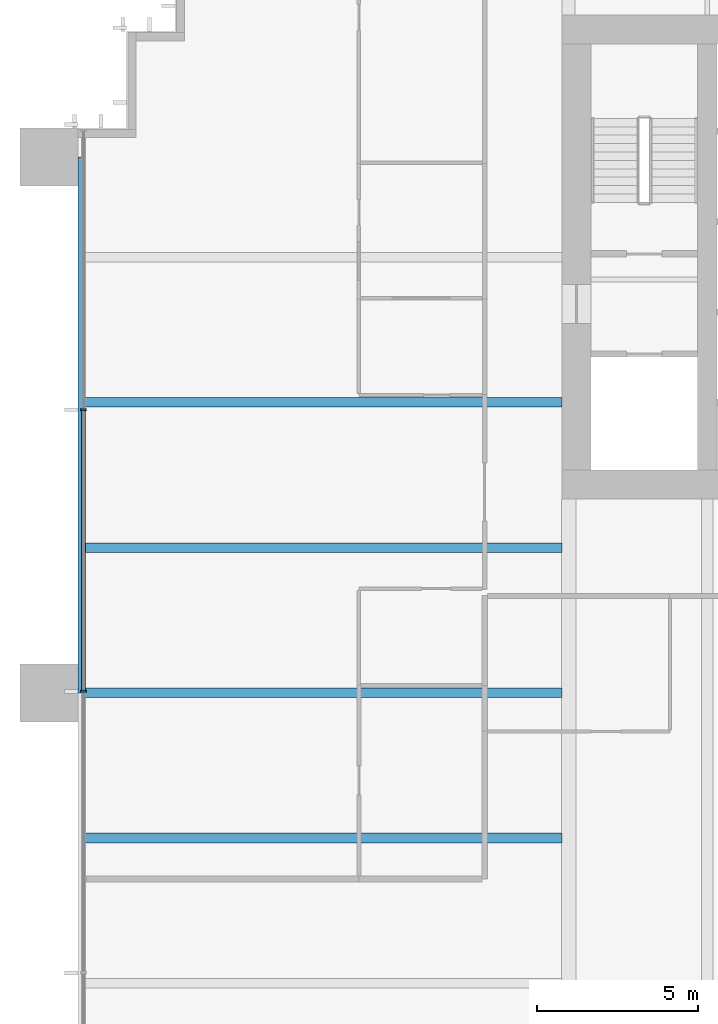
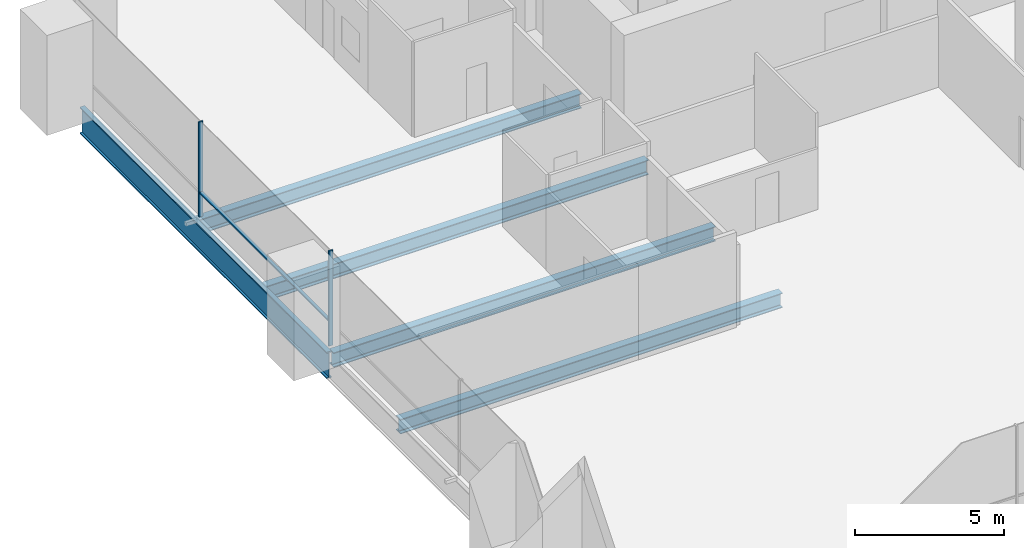
# One storey, part 4 of 17: 5 beams, 3 members, 1 element without a shape of its own.
"""IFC4 building model written with IfcOpenShell, lengths in metres."""

from ifc_helpers import new_model, si_unit, direction, frame, origin, origin_2d, place, context, subcontext, project, spatial, rectangle, i_section, extrude, material, material_profile, profile_set, type_object, element, aggregate, save


model = new_model("IFC4")

# Units and contexts
model_context = context("Model", 3, precision=1e-05, world=origin(), true_north=direction((0.0, 1.0)))
body_context = subcontext(model_context, "Body", "Model", "MODEL_VIEW")
ifc_project = project(units=[si_unit("LENGTHUNIT", "METRE"), si_unit("AREAUNIT", "SQUARE_METRE"), si_unit("VOLUMEUNIT", "CUBIC_METRE"), si_unit("PLANEANGLEUNIT", "RADIAN"), si_unit("MASSUNIT", "GRAM", prefix="KILO")], contexts=[model_context])

# Site, building, storey
site_placement = place(None, origin())
site = spatial("IfcSite", under=ifc_project, at=site_placement, CompositionType="ELEMENT")
building_placement = place(site_placement, origin())
building = spatial("IfcBuilding", under=site, at=building_placement, Name="Rattan Terrace Tower", CompositionType="ELEMENT")
storey_placement = place(building_placement, frame((0.0, 0.0, 48.800048828125)))
storey = spatial("IfcBuildingStorey", under=building, at=storey_placement, Name="L10", CompositionType="ELEMENT", Elevation=48.800048828125)

# Curtain wall, members
ifc_material_1 = material(Name="Aluminium and glass", Category="aluminium")
curtain_wall_type = type_object("IfcCurtainWallType", Name="Facade Unitised Curtain Wall", PredefinedType="NOTDEFINED", material=ifc_material_1)
curtain_wall_placement = place(storey_placement, origin())
curtain_wall = element("IfcCurtainWall", 1, at=curtain_wall_placement, inside=storey, type_object=curtain_wall_type, Name="Curtain wall L10-3", PredefinedType="NOTDEFINED")
ifc_material_2 = material(Name="Aluminium", Category="aluminium")
ifc_material_profile_1 = material_profile(ifc_material_2, rectangle(XDim=0.06005859375, YDim=0.159912109375, at=origin_2d()), Name="Aluminium 60x160")
ifc_profile_set_1 = profile_set([ifc_material_profile_1], Name="Aluminium")
member_type_1 = type_object("IfcMemberType", Name="Facade CW Mullion 60x160", PredefinedType="MULLION", material=ifc_profile_set_1)
member_1_placement = place(storey_placement, frame((-32.830078125, -4.72705078125, 0.0), z_axis=(0.0, 0.0, 1.0), x_axis=(0.0, -1.0, 0.0)))
member_1 = element("IfcMember", 2, at=member_1_placement, type_object=member_type_1, Name="Mullion cwl-L10-003.2", PredefinedType="MULLION", context=body_context, shape_type="SweptSolid", body=[
    extrude(rectangle(XDim=0.06005859375, YDim=0.159912109375, at=origin_2d()), origin(), (0.0, 0.0, 1.0), 3.89990234375),
])
member_2_placement = place(storey_placement, frame((-32.830078125, -13.4541015625, 0.0), z_axis=(0.0, 0.0, 1.0), x_axis=(0.0, -1.0, 0.0)))
member_2 = element("IfcMember", 3, at=member_2_placement, type_object=member_type_1, Name="Mullion cwl-L10-003.3", PredefinedType="MULLION", context=body_context, shape_type="SweptSolid", body=[
    extrude(rectangle(XDim=0.06005859375, YDim=0.159912109375, at=origin_2d()), origin(), (0.0, 0.0, 1.0), 3.89990234375),
])
ifc_material_3 = material(Name="Aluminium", Category="aluminium")
ifc_material_profile_2 = material_profile(ifc_material_3, rectangle(XDim=0.1201171875, YDim=0.06005859375, at=origin_2d()), Name="Aluminium 120x60")
ifc_profile_set_2 = profile_set([ifc_material_profile_2], Name="Aluminium")
member_type_2 = type_object("IfcMemberType", Name="Facade CW Transom 120x60", PredefinedType="USERDEFINED", material=ifc_profile_set_2)
member_3_placement = place(storey_placement, frame((-32.830078125, -4.757080078125, 1.0), z_axis=(0.0, -1.0, 0.0), x_axis=(1.0, 0.0, 0.0)))
member_3 = element("IfcMember", 4, at=member_3_placement, type_object=member_type_2, Name="Transom cwl-L10-003.2", ObjectType="TRANSOM", PredefinedType="USERDEFINED", context=body_context, shape_type="SweptSolid", body=[
    extrude(rectangle(XDim=0.1201171875, YDim=0.06005859375, at=origin_2d()), origin(), (0.0, 0.0, 1.0), 8.6669921875),
])
aggregate(curtain_wall, [member_1, member_2, member_3])

# Beams
ifc_material_4 = material(Name="Steel S460", Category="steel")
ifc_material_profile_3 = material_profile(ifc_material_4, i_section(OverallWidth=0.179931640625, OverallDepth=1.10009765625, WebThickness=0.01611328125, FlangeThickness=0.050048828125, at=origin_2d()), Name="PG 1100x180-16-50")
ifc_profile_set_3 = profile_set([ifc_material_profile_3], Name="Steel S460")
beam_type_1 = type_object("IfcBeamType", Name="Frame edge girder PG 1100x180-16-50", PredefinedType="SPANDREL", material=ifc_profile_set_3)
beam_placement = place(storey_placement, frame((-32.909912109375, 3.10009765625, -0.75), z_axis=(0.0, -1.0, 0.0), x_axis=(1.0, 0.0, 0.0)))
element("IfcBeam", 5, at=beam_placement, inside=storey, type_object=beam_type_1, Name="gdr-L10-008", PredefinedType="SPANDREL", context=body_context, shape_type="SweptSolid", body=[
    extrude(i_section(OverallWidth=0.179931640625, OverallDepth=1.10009765625, WebThickness=0.01611328125, FlangeThickness=0.050048828125, at=origin_2d()), origin(), (0.0, 0.0, 1.0), 16.60009765625),
])
ifc_material_5 = material(Name="Steel S355", Category="steel")
ifc_material_profile_4 = material_profile(ifc_material_5, i_section(OverallWidth=0.300048828125, OverallDepth=0.60009765625, WebThickness=0.015380859375, FlangeThickness=0.030029296875, FilletRadius=0.027099609375, at=origin_2d()), Name="HE 600 B")
ifc_profile_set_4 = profile_set([ifc_material_profile_4], Name="Steel S355")
beam_type_2 = type_object("IfcBeamType", Name="Frame floor beam HE 600 B", PredefinedType="JOIST", material=ifc_profile_set_4)
for number, where, z_axis, x_axis, name in (
    (6, (-32.820068359375, -18.0, -0.5), (1.0, 0.0, 0.0), (0.0, 1.0, 0.0), "bm-L10-014"),
    (7, (-32.820068359375, -13.5, -0.5), (1.0, 0.0, 0.0), (0.0, 1.0, 0.0), "bm-L10-016"),
    (8, (-32.820068359375, -9.0, -0.5), (1.0, 0.0, 0.0), (0.0, 1.0, 0.0), "bm-L10-018"),
    (9, (-32.820068359375, -4.5, -0.5), (1.0, 0.0, 0.0), (0.0, 1.0, 0.0), "bm-L10-020"),
):
    element("IfcBeam", number, at=place(storey_placement, frame(where, z_axis=z_axis, x_axis=x_axis)), inside=storey, type_object=beam_type_2, Name=name, PredefinedType="JOIST", context=body_context, shape_type="SweptSolid", body=[
        extrude(i_section(OverallWidth=0.300048828125, OverallDepth=0.60009765625, WebThickness=0.015380859375, FlangeThickness=0.030029296875, FilletRadius=0.027099609375, at=origin_2d()), origin(), (0.0, 0.0, 1.0), 14.820068359375),
    ])

save(model, "model.ifc")
